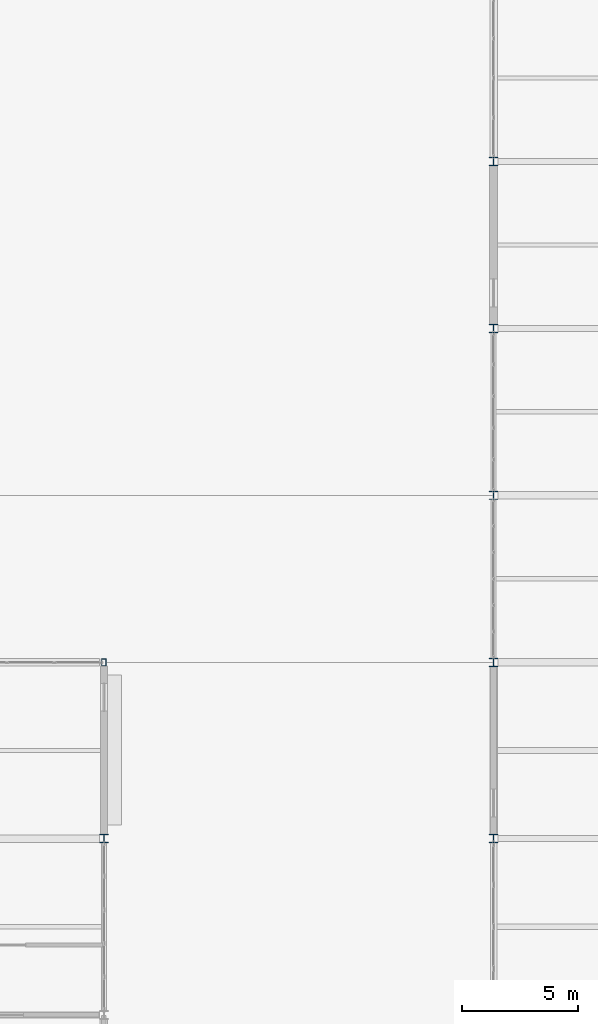
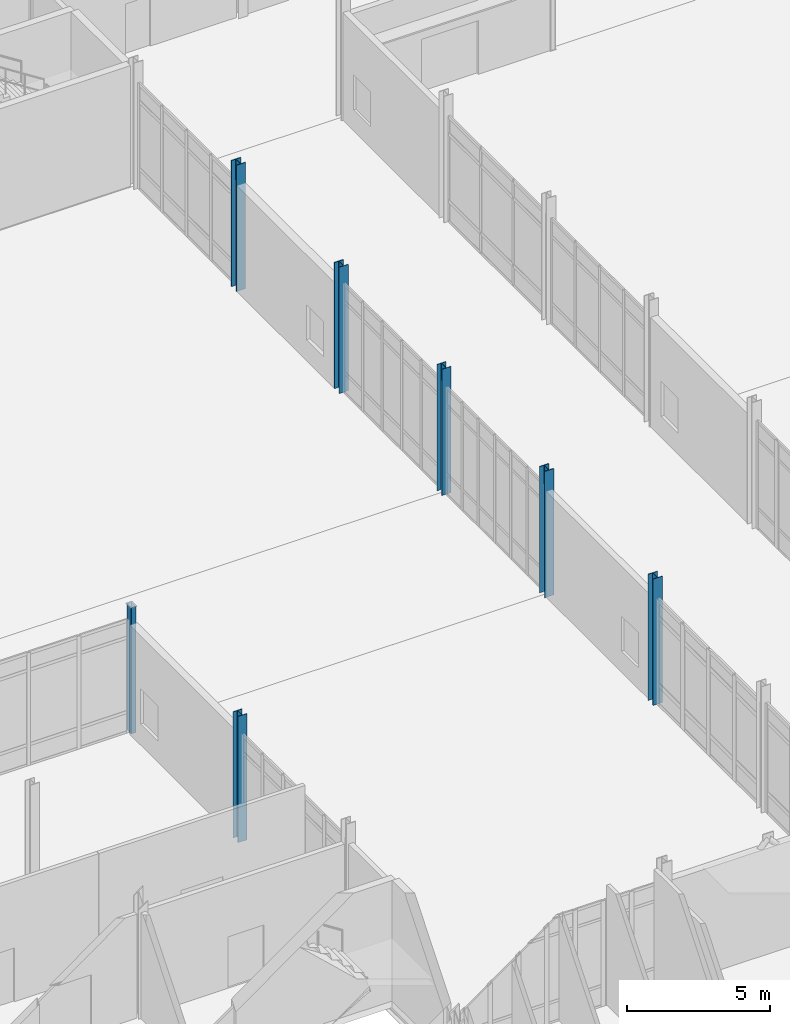
# One storey, part 11 of 229: 7 columns.
"""IFC4 building model written with IfcOpenShell, lengths in metres."""

from ifc_helpers import new_model, si_unit, direction, frame, origin, origin_2d, place, context, subcontext, project, spatial, hollow_rectangle, i_section, extrude, material, material_profile, profile_set, type_object, element, save


model = new_model("IFC4")

# Units and contexts
model_context = context("Model", 3, precision=1e-05, world=origin(), true_north=direction((0.0, 1.0)))
body_context = subcontext(model_context, "Body", "Model", "MODEL_VIEW")
ifc_project = project(units=[si_unit("LENGTHUNIT", "METRE"), si_unit("AREAUNIT", "SQUARE_METRE"), si_unit("VOLUMEUNIT", "CUBIC_METRE"), si_unit("PLANEANGLEUNIT", "RADIAN"), si_unit("MASSUNIT", "GRAM", prefix="KILO")], contexts=[model_context])

# Site, building, storey
site_placement = place(None, origin())
site = spatial("IfcSite", under=ifc_project, at=site_placement, CompositionType="ELEMENT")
building_placement = place(site_placement, origin())
building = spatial("IfcBuilding", under=site, at=building_placement, Name="Calvrana Isthmian Art Gallery", CompositionType="ELEMENT")
storey_placement = place(building_placement, origin())
storey = spatial("IfcBuildingStorey", under=building, at=storey_placement, Name="L00", CompositionType="ELEMENT", Elevation=0.0)

# Columns
ifc_material_1 = material(Name="Steel ASTM A500 Gr C", Category="steel")
ifc_material_profile_1 = material_profile(ifc_material_1, hollow_rectangle(XDim=0.203125, YDim=0.3046875, WallThickness=0.0126953125, OuterFilletRadius=0.02490234375, at=origin_2d()), Name="HSS305X203X12.7")
ifc_profile_set_1 = profile_set([ifc_material_profile_1], Name="Steel ASTM A500 Gr C")
column_type_1 = type_object("IfcColumnType", Name="COL-STL-HSS305X203X12.7", PredefinedType="COLUMN", material=ifc_profile_set_1)
column_1_placement = place(storey_placement, frame((38.39990234375, 69.60009765625, 0.0), z_axis=(0.0, 0.0, 1.0), x_axis=(1.0, 0.0, 0.0)))
element("IfcColumn", 1, at=column_1_placement, inside=storey, type_object=column_type_1, Name="Column 06/J L00", PredefinedType="COLUMN", context=body_context, shape_type="SweptSolid", body=[
    extrude(hollow_rectangle(XDim=0.203125, YDim=0.3046875, WallThickness=0.0126953125, OuterFilletRadius=0.02490234375, at=origin_2d()), origin(), (0.0, 0.0, 1.0), 5.39990234375),
])
ifc_material_2 = material(Name="Steel ASTM A992 Gr 50", Category="steel")
ifc_material_profile_2 = material_profile(ifc_material_2, i_section(OverallWidth=0.37109375, OverallDepth=0.363037109375, WebThickness=0.01318359375, FlangeThickness=0.021728515625, FilletRadius=0.02490234375, at=origin_2d()), Name="W14X109")
ifc_profile_set_2 = profile_set([ifc_material_profile_2], Name="Steel ASTM A992 Gr 50")
column_type_2 = type_object("IfcColumnType", Name="COL-STL-W14X109", PredefinedType="COLUMN", material=ifc_profile_set_2)
column_2_placement = place(storey_placement, frame((55.199951171875, 84.0, 0.0), z_axis=(0.0, 0.0, 1.0), x_axis=(1.0, 0.0, 0.0)))
element("IfcColumn", 2, at=column_2_placement, inside=storey, type_object=column_type_2, Name="Column 08/L L00", PredefinedType="COLUMN", context=body_context, shape_type="SweptSolid", body=[
    extrude(i_section(OverallWidth=0.37109375, OverallDepth=0.363037109375, WebThickness=0.01318359375, FlangeThickness=0.021728515625, FilletRadius=0.02490234375, at=origin_2d()), origin(), (0.0, 0.0, 1.0), 5.39990234375),
])
ifc_material_profile_3 = material_profile(ifc_material_2, i_section(OverallWidth=0.373046875, OverallDepth=0.367919921875, WebThickness=0.014892578125, FlangeThickness=0.02392578125, FilletRadius=0.02490234375, at=origin_2d()), Name="W14X120")
ifc_profile_set_3 = profile_set([ifc_material_profile_3], Name="Steel ASTM A992 Gr 50")
column_type_3 = type_object("IfcColumnType", Name="COL-STL-W14X120", PredefinedType="COLUMN", material=ifc_profile_set_3)
for number, where, z_axis, x_axis, name in (
    (3, (55.199951171875, 62.0, 0.0), (0.0, 0.0, 1.0), (1.0, 0.0, 0.0), "Column 08/I L00"),
    (4, (55.199951171875, 91.199951171875, 0.0), (0.0, 0.0, 1.0), (1.0, 0.0, 0.0), "Column 08/M L00"),
):
    element("IfcColumn", number, at=place(storey_placement, frame(where, z_axis=z_axis, x_axis=x_axis)), inside=storey, type_object=column_type_3, Name=name, PredefinedType="COLUMN", context=body_context, shape_type="SweptSolid", body=[
        extrude(i_section(OverallWidth=0.373046875, OverallDepth=0.367919921875, WebThickness=0.014892578125, FlangeThickness=0.02392578125, FilletRadius=0.02490234375, at=origin_2d()), origin(), (0.0, 0.0, 1.0), 5.39990234375),
    ])
ifc_material_profile_4 = material_profile(ifc_material_2, i_section(OverallWidth=0.373046875, OverallDepth=0.373046875, WebThickness=0.016357421875, FlangeThickness=0.026123046875, FilletRadius=0.02490234375, at=origin_2d()), Name="W14X132")
ifc_profile_set_4 = profile_set([ifc_material_profile_4], Name="Steel ASTM A992 Gr 50")
column_type_4 = type_object("IfcColumnType", Name="COL-STL-W14X132", PredefinedType="COLUMN", material=ifc_profile_set_4)
column_3_placement = place(storey_placement, frame((55.199951171875, 69.60009765625, 0.0), z_axis=(0.0, 0.0, 1.0), x_axis=(1.0, 0.0, 0.0)))
element("IfcColumn", 5, at=column_3_placement, inside=storey, type_object=column_type_4, Name="Column 08/J L00", PredefinedType="COLUMN", context=body_context, shape_type="SweptSolid", body=[
    extrude(i_section(OverallWidth=0.373046875, OverallDepth=0.373046875, WebThickness=0.016357421875, FlangeThickness=0.026123046875, FilletRadius=0.02490234375, at=origin_2d()), origin(), (0.0, 0.0, 1.0), 5.39990234375),
])
ifc_material_profile_5 = material_profile(ifc_material_2, i_section(OverallWidth=0.367919921875, OverallDepth=0.35595703125, WebThickness=0.01123046875, FlangeThickness=0.01806640625, FilletRadius=0.02490234375, at=origin_2d()), Name="W14X90")
ifc_profile_set_5 = profile_set([ifc_material_profile_5], Name="Steel ASTM A992 Gr 50")
column_type_5 = type_object("IfcColumnType", Name="COL-STL-W14X90", PredefinedType="COLUMN", material=ifc_profile_set_5)
for number, where, z_axis, x_axis, name in (
    (6, (38.39990234375, 62.0, 0.0), (0.0, 0.0, 1.0), (1.0, 0.0, 0.0), "Column 06/I L00"),
    (7, (55.199951171875, 76.800048828125, 0.0), (0.0, 0.0, 1.0), (1.0, 0.0, 0.0), "Column 08/K L00"),
):
    element("IfcColumn", number, at=place(storey_placement, frame(where, z_axis=z_axis, x_axis=x_axis)), inside=storey, type_object=column_type_5, Name=name, PredefinedType="COLUMN", context=body_context, shape_type="SweptSolid", body=[
        extrude(i_section(OverallWidth=0.367919921875, OverallDepth=0.35595703125, WebThickness=0.01123046875, FlangeThickness=0.01806640625, FilletRadius=0.02490234375, at=origin_2d()), origin(), (0.0, 0.0, 1.0), 5.39990234375),
    ])

save(model, "model.ifc")
